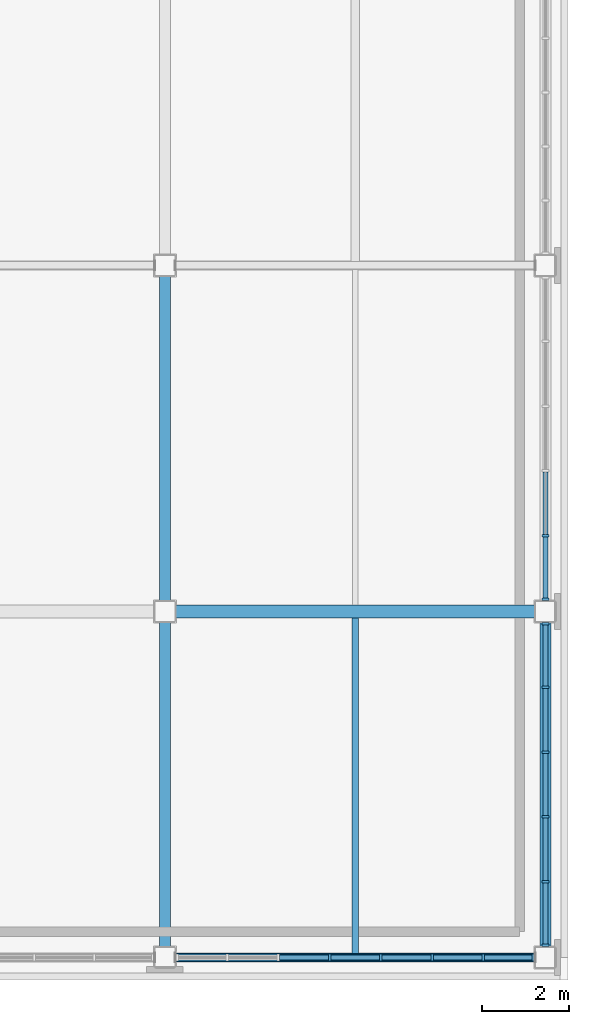
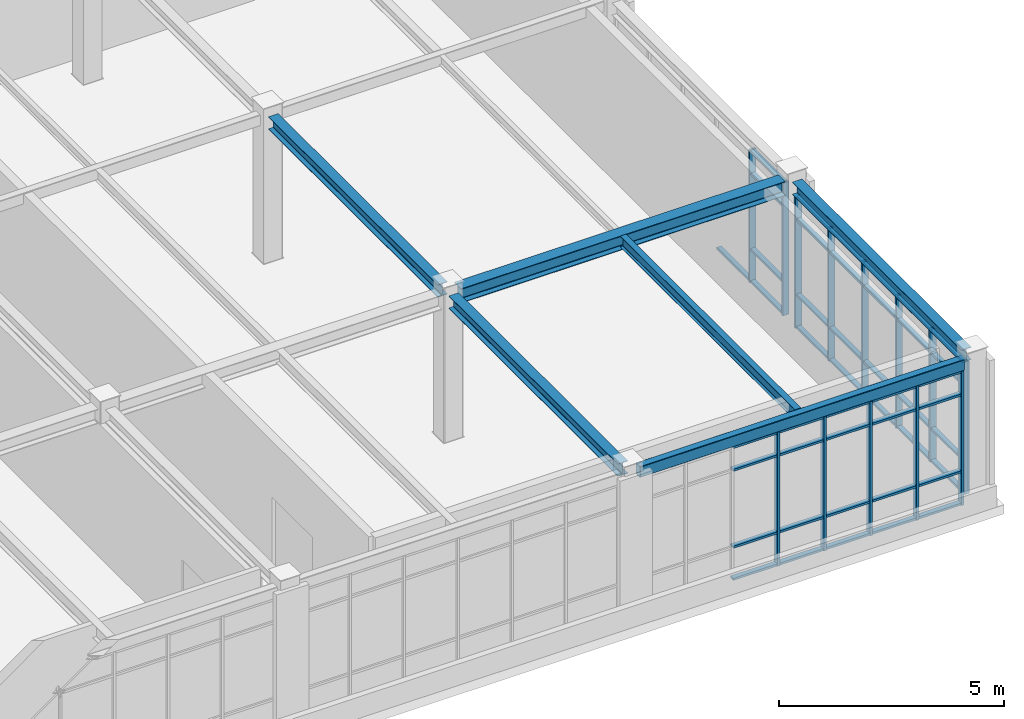
# One storey, part 9 of 45: 58 members, 6 beams, 3 elements without a shape of their own.
"""IFC4 building model written with IfcOpenShell, lengths in metres."""

from ifc_helpers import new_model, si_unit, direction, frame, origin, origin_2d, place, context, subcontext, project, spatial, rectangle, hollow_rectangle, i_section, extrude, material, material_profile, profile_set, type_object, element, aggregate, save


model = new_model("IFC4")

# Units and contexts
model_context = context("Model", 3, precision=1e-05, world=origin(), true_north=direction((0.0, 1.0)))
body_context = subcontext(model_context, "Body", "Model", "MODEL_VIEW")
ifc_project = project(units=[si_unit("LENGTHUNIT", "METRE"), si_unit("AREAUNIT", "SQUARE_METRE"), si_unit("VOLUMEUNIT", "CUBIC_METRE"), si_unit("PLANEANGLEUNIT", "RADIAN"), si_unit("MASSUNIT", "GRAM", prefix="KILO")], contexts=[model_context])

# Site, building, storey
site_placement = place(None, origin())
site = spatial("IfcSite", under=ifc_project, at=site_placement, CompositionType="ELEMENT")
building_placement = place(site_placement, origin())
building = spatial("IfcBuilding", under=site, at=building_placement, Name="Zhaolan Boulevard Law Courts", CompositionType="ELEMENT")
storey_placement = place(building_placement, frame((0.0, 0.0, 24.60009765625)))
storey = spatial("IfcBuildingStorey", under=building, at=storey_placement, Name="L05", CompositionType="ELEMENT", Elevation=24.60009765625)

# Curtain wall, members
ifc_material_1 = material(Name="Thermally broken aluminium and low-E glazing", Category="aluminium")
curtain_wall_type_1 = type_object("IfcCurtainWallType", Name="CURTAIN WALL M14", PredefinedType="USERDEFINED", material=ifc_material_1)
curtain_wall_1_placement = place(storey_placement, origin())
curtain_wall_1 = element("IfcCurtainWall", 1, at=curtain_wall_1_placement, inside=storey, type_object=curtain_wall_type_1, Name="Curtain Wall CW-L05-206", ObjectType="CURTAIN WALL", PredefinedType="USERDEFINED")
ifc_material_2 = material(Name="Fluorocarbon-coated aluminium 6063-T6", Category="aluminium")
ifc_material_profile_1 = material_profile(ifc_material_2, rectangle(XDim=0.159912109375, YDim=0.06005859375, at=origin_2d()), Name="AL60x160")
ifc_profile_set_1 = profile_set([ifc_material_profile_1], Name="Fluorocarbon-coated aluminium 6063-T6")
member_type_1 = type_object("IfcMemberType", Name="CWMULLION 60X160", PredefinedType="MULLION", material=ifc_profile_set_1)
member_1_placement = place(storey_placement, frame((39.00732421875, 30.0, 0.0), z_axis=(0.0, 0.0, 1.0), x_axis=(0.0, 1.0, 0.0)))
member_1 = element("IfcMember", 2, at=member_1_placement, type_object=member_type_1, Name="CW-L05-206 mullion 4", PredefinedType="MULLION", context=body_context, shape_type="SweptSolid", body=[
    extrude(rectangle(XDim=0.159912109375, YDim=0.06005859375, at=origin_2d()), origin(), (0.0, 0.0, 1.0), 3.6328125),
])
member_2_placement = place(storey_placement, frame((40.192626953125, 30.0, 0.0), z_axis=(0.0, 0.0, 1.0), x_axis=(0.0, 1.0, 0.0)))
member_2 = element("IfcMember", 3, at=member_2_placement, type_object=member_type_1, Name="CW-L05-206 mullion 5", PredefinedType="MULLION", context=body_context, shape_type="SweptSolid", body=[
    extrude(rectangle(XDim=0.159912109375, YDim=0.06005859375, at=origin_2d()), origin(), (0.0, 0.0, 1.0), 3.6328125),
])
member_3_placement = place(storey_placement, frame((41.377685546875, 30.0, 0.0), z_axis=(0.0, 0.0, 1.0), x_axis=(0.0, 1.0, 0.0)))
member_3 = element("IfcMember", 4, at=member_3_placement, type_object=member_type_1, Name="CW-L05-206 mullion 6", PredefinedType="MULLION", context=body_context, shape_type="SweptSolid", body=[
    extrude(rectangle(XDim=0.159912109375, YDim=0.06005859375, at=origin_2d()), origin(), (0.0, 0.0, 1.0), 3.6328125),
])
member_4_placement = place(storey_placement, frame((42.562744140625, 30.0, 0.0), z_axis=(0.0, 0.0, 1.0), x_axis=(0.0, 1.0, 0.0)))
member_4 = element("IfcMember", 5, at=member_4_placement, type_object=member_type_1, Name="CW-L05-206 mullion 7", PredefinedType="MULLION", context=body_context, shape_type="SweptSolid", body=[
    extrude(rectangle(XDim=0.159912109375, YDim=0.06005859375, at=origin_2d()), origin(), (0.0, 0.0, 1.0), 3.6328125),
])
member_5_placement = place(storey_placement, frame((43.718017578125, 30.0, 0.0), z_axis=(0.0, 0.0, 1.0), x_axis=(0.0, 1.0, 0.0)))
member_5 = element("IfcMember", 6, at=member_5_placement, type_object=member_type_1, Name="CW-L05-206 mullion 8", PredefinedType="MULLION", context=body_context, shape_type="SweptSolid", body=[
    extrude(rectangle(XDim=0.159912109375, YDim=0.06005859375, at=origin_2d()), origin(), (0.0, 0.0, 1.0), 3.6328125),
])

ifc_material_3 = material(Name="Thermally broken aluminium and low-E glazing", Category="aluminium")
curtain_wall_type_2 = type_object("IfcCurtainWallType", Name="CURTAIN WALL M2", PredefinedType="USERDEFINED", material=ifc_material_3)
curtain_wall_2_placement = place(storey_placement, origin())
curtain_wall_2 = element("IfcCurtainWall", 7, at=curtain_wall_2_placement, inside=storey, type_object=curtain_wall_type_2, Name="Curtain Wall CW-L05-218", ObjectType="CURTAIN WALL", PredefinedType="USERDEFINED")
member_6_placement = place(storey_placement, frame((44.0, 30.281982421875, 0.0), z_axis=(0.0, 0.0, 1.0), x_axis=(-1.0, 0.0, 0.0)))
member_6 = element("IfcMember", 8, at=member_6_placement, type_object=member_type_1, Name="CW-L05-218 mullion 1", PredefinedType="MULLION", context=body_context, shape_type="SweptSolid", body=[
    extrude(rectangle(XDim=0.159912109375, YDim=0.06005859375, at=origin_2d()), origin(), (0.0, 0.0, 1.0), 3.593017578125),
])
member_7_placement = place(storey_placement, frame((44.0, 31.751220703125, 0.0), z_axis=(0.0, 0.0, 1.0), x_axis=(-1.0, 0.0, 0.0)))
member_7 = element("IfcMember", 9, at=member_7_placement, type_object=member_type_1, Name="CW-L05-218 mullion 2", PredefinedType="MULLION", context=body_context, shape_type="SweptSolid", body=[
    extrude(rectangle(XDim=0.159912109375, YDim=0.06005859375, at=origin_2d()), origin(), (0.0, 0.0, 1.0), 3.593017578125),
])
member_8_placement = place(storey_placement, frame((44.0, 33.25048828125, 0.0), z_axis=(0.0, 0.0, 1.0), x_axis=(-1.0, 0.0, 0.0)))
member_8 = element("IfcMember", 10, at=member_8_placement, type_object=member_type_1, Name="CW-L05-218 mullion 3", PredefinedType="MULLION", context=body_context, shape_type="SweptSolid", body=[
    extrude(rectangle(XDim=0.159912109375, YDim=0.06005859375, at=origin_2d()), origin(), (0.0, 0.0, 1.0), 3.593017578125),
])
member_9_placement = place(storey_placement, frame((44.0, 34.74951171875, 0.0), z_axis=(0.0, 0.0, 1.0), x_axis=(-1.0, 0.0, 0.0)))
member_9 = element("IfcMember", 11, at=member_9_placement, type_object=member_type_1, Name="CW-L05-218 mullion 4", PredefinedType="MULLION", context=body_context, shape_type="SweptSolid", body=[
    extrude(rectangle(XDim=0.159912109375, YDim=0.06005859375, at=origin_2d()), origin(), (0.0, 0.0, 1.0), 3.593017578125),
])
member_10_placement = place(storey_placement, frame((44.0, 36.248779296875, 0.0), z_axis=(0.0, 0.0, 1.0), x_axis=(-1.0, 0.0, 0.0)))
member_10 = element("IfcMember", 12, at=member_10_placement, type_object=member_type_1, Name="CW-L05-218 mullion 5", PredefinedType="MULLION", context=body_context, shape_type="SweptSolid", body=[
    extrude(rectangle(XDim=0.159912109375, YDim=0.06005859375, at=origin_2d()), origin(), (0.0, 0.0, 1.0), 3.593017578125),
])
member_11_placement = place(storey_placement, frame((44.0, 37.718017578125, 0.0), z_axis=(0.0, 0.0, 1.0), x_axis=(-1.0, 0.0, 0.0)))
member_11 = element("IfcMember", 13, at=member_11_placement, type_object=member_type_1, Name="CW-L05-218 mullion 6", PredefinedType="MULLION", context=body_context, shape_type="SweptSolid", body=[
    extrude(rectangle(XDim=0.159912109375, YDim=0.06005859375, at=origin_2d()), origin(), (0.0, 0.0, 1.0), 3.593017578125),
])

ifc_material_4 = material(Name="Thermally broken aluminium and low-E glazing", Category="aluminium")
curtain_wall_type_3 = type_object("IfcCurtainWallType", Name="CURTAIN WALL M3", PredefinedType="USERDEFINED", material=ifc_material_4)
curtain_wall_3_placement = place(storey_placement, origin())
curtain_wall_3 = element("IfcCurtainWall", 14, at=curtain_wall_3_placement, inside=storey, type_object=curtain_wall_type_3, Name="Curtain Wall CW-L05-219", ObjectType="CURTAIN WALL", PredefinedType="USERDEFINED")
member_12_placement = place(storey_placement, frame((44.0, 38.281982421875, 0.0), z_axis=(0.0, 0.0, 1.0), x_axis=(-1.0, 0.0, 0.0)))
member_12 = element("IfcMember", 15, at=member_12_placement, type_object=member_type_1, Name="CW-L05-219 mullion 1", PredefinedType="MULLION", context=body_context, shape_type="SweptSolid", body=[
    extrude(rectangle(XDim=0.159912109375, YDim=0.06005859375, at=origin_2d()), origin(), (0.0, 0.0, 1.0), 3.593017578125),
])
member_13_placement = place(storey_placement, frame((44.0, 39.751220703125, 0.0), z_axis=(0.0, 0.0, 1.0), x_axis=(-1.0, 0.0, 0.0)))
member_13 = element("IfcMember", 16, at=member_13_placement, type_object=member_type_1, Name="CW-L05-219 mullion 2", PredefinedType="MULLION", context=body_context, shape_type="SweptSolid", body=[
    extrude(rectangle(XDim=0.159912109375, YDim=0.06005859375, at=origin_2d()), origin(), (0.0, 0.0, 1.0), 3.593017578125),
])

# Member
ifc_material_5 = material(Name="Fluorocarbon-coated aluminium 6063-T6", Category="aluminium")
ifc_material_profile_2 = material_profile(ifc_material_5, rectangle(XDim=0.1201171875, YDim=0.06005859375, at=origin_2d()), Name="AL60x120")
ifc_profile_set_2 = profile_set([ifc_material_profile_2], Name="Fluorocarbon-coated aluminium 6063-T6")
member_type_2 = type_object("IfcMemberType", Name="CWTRANSOM 60X120", PredefinedType="USERDEFINED", material=ifc_profile_set_2)
member_14_placement = place(storey_placement, frame((37.852294921875, 30.0, 0.02978515625), z_axis=(1.0, 0.0, 0.0), x_axis=(0.0, 1.0, 0.0)))
member_14 = element("IfcMember", 17, at=member_14_placement, type_object=member_type_2, Name="CW-L05-206 transom 3.1", ObjectType="TRANSOM", PredefinedType="USERDEFINED", context=body_context, shape_type="SweptSolid", body=[
    extrude(rectangle(XDim=0.1201171875, YDim=0.06005859375, at=origin_2d()), origin(), (0.0, 0.0, 1.0), 1.125244140625),
])

member_15_placement = place(storey_placement, frame((37.852294921875, 30.0, 0.89990234375), z_axis=(1.0, 0.0, 0.0), x_axis=(0.0, 1.0, 0.0)))
member_15 = element("IfcMember", 18, at=member_15_placement, type_object=member_type_2, Name="CW-L05-206 transom 3.2", ObjectType="TRANSOM", PredefinedType="USERDEFINED", context=body_context, shape_type="SweptSolid", body=[
    extrude(rectangle(XDim=0.1201171875, YDim=0.06005859375, at=origin_2d()), origin(), (0.0, 0.0, 1.0), 1.125244140625),
])

member_16_placement = place(storey_placement, frame((37.852294921875, 30.0, 2.98291015625), z_axis=(1.0, 0.0, 0.0), x_axis=(0.0, 1.0, 0.0)))
member_16 = element("IfcMember", 19, at=member_16_placement, type_object=member_type_2, Name="CW-L05-206 transom 3.3", ObjectType="TRANSOM", PredefinedType="USERDEFINED", context=body_context, shape_type="SweptSolid", body=[
    extrude(rectangle(XDim=0.1201171875, YDim=0.06005859375, at=origin_2d()), origin(), (0.0, 0.0, 1.0), 1.125244140625),
])

member_17_placement = place(storey_placement, frame((37.852294921875, 30.0, 3.602783203125), z_axis=(1.0, 0.0, 0.0), x_axis=(0.0, 1.0, 0.0)))
member_17 = element("IfcMember", 20, at=member_17_placement, type_object=member_type_2, Name="CW-L05-206 transom 3.4", ObjectType="TRANSOM", PredefinedType="USERDEFINED", context=body_context, shape_type="SweptSolid", body=[
    extrude(rectangle(XDim=0.1201171875, YDim=0.06005859375, at=origin_2d()), origin(), (0.0, 0.0, 1.0), 1.125244140625),
])

member_18_placement = place(storey_placement, frame((39.037353515625, 30.0, 0.02978515625), z_axis=(1.0, 0.0, 0.0), x_axis=(0.0, 1.0, 0.0)))
member_18 = element("IfcMember", 21, at=member_18_placement, type_object=member_type_2, Name="CW-L05-206 transom 4.1", ObjectType="TRANSOM", PredefinedType="USERDEFINED", context=body_context, shape_type="SweptSolid", body=[
    extrude(rectangle(XDim=0.1201171875, YDim=0.06005859375, at=origin_2d()), origin(), (0.0, 0.0, 1.0), 1.125244140625),
])

member_19_placement = place(storey_placement, frame((39.037353515625, 30.0, 0.89990234375), z_axis=(1.0, 0.0, 0.0), x_axis=(0.0, 1.0, 0.0)))
member_19 = element("IfcMember", 22, at=member_19_placement, type_object=member_type_2, Name="CW-L05-206 transom 4.2", ObjectType="TRANSOM", PredefinedType="USERDEFINED", context=body_context, shape_type="SweptSolid", body=[
    extrude(rectangle(XDim=0.1201171875, YDim=0.06005859375, at=origin_2d()), origin(), (0.0, 0.0, 1.0), 1.125244140625),
])

member_20_placement = place(storey_placement, frame((39.037353515625, 30.0, 2.98291015625), z_axis=(1.0, 0.0, 0.0), x_axis=(0.0, 1.0, 0.0)))
member_20 = element("IfcMember", 23, at=member_20_placement, type_object=member_type_2, Name="CW-L05-206 transom 4.3", ObjectType="TRANSOM", PredefinedType="USERDEFINED", context=body_context, shape_type="SweptSolid", body=[
    extrude(rectangle(XDim=0.1201171875, YDim=0.06005859375, at=origin_2d()), origin(), (0.0, 0.0, 1.0), 1.125244140625),
])

member_21_placement = place(storey_placement, frame((39.037353515625, 30.0, 3.602783203125), z_axis=(1.0, 0.0, 0.0), x_axis=(0.0, 1.0, 0.0)))
member_21 = element("IfcMember", 24, at=member_21_placement, type_object=member_type_2, Name="CW-L05-206 transom 4.4", ObjectType="TRANSOM", PredefinedType="USERDEFINED", context=body_context, shape_type="SweptSolid", body=[
    extrude(rectangle(XDim=0.1201171875, YDim=0.06005859375, at=origin_2d()), origin(), (0.0, 0.0, 1.0), 1.125244140625),
])

member_22_placement = place(storey_placement, frame((40.22265625, 30.0, 0.02978515625), z_axis=(1.0, 0.0, 0.0), x_axis=(0.0, 1.0, 0.0)))
member_22 = element("IfcMember", 25, at=member_22_placement, type_object=member_type_2, Name="CW-L05-206 transom 5.1", ObjectType="TRANSOM", PredefinedType="USERDEFINED", context=body_context, shape_type="SweptSolid", body=[
    extrude(rectangle(XDim=0.1201171875, YDim=0.06005859375, at=origin_2d()), origin(), (0.0, 0.0, 1.0), 1.125),
])

member_23_placement = place(storey_placement, frame((40.22265625, 30.0, 0.89990234375), z_axis=(1.0, 0.0, 0.0), x_axis=(0.0, 1.0, 0.0)))
member_23 = element("IfcMember", 26, at=member_23_placement, type_object=member_type_2, Name="CW-L05-206 transom 5.2", ObjectType="TRANSOM", PredefinedType="USERDEFINED", context=body_context, shape_type="SweptSolid", body=[
    extrude(rectangle(XDim=0.1201171875, YDim=0.06005859375, at=origin_2d()), origin(), (0.0, 0.0, 1.0), 1.125),
])

member_24_placement = place(storey_placement, frame((40.22265625, 30.0, 2.98291015625), z_axis=(1.0, 0.0, 0.0), x_axis=(0.0, 1.0, 0.0)))
member_24 = element("IfcMember", 27, at=member_24_placement, type_object=member_type_2, Name="CW-L05-206 transom 5.3", ObjectType="TRANSOM", PredefinedType="USERDEFINED", context=body_context, shape_type="SweptSolid", body=[
    extrude(rectangle(XDim=0.1201171875, YDim=0.06005859375, at=origin_2d()), origin(), (0.0, 0.0, 1.0), 1.125),
])

member_25_placement = place(storey_placement, frame((40.22265625, 30.0, 3.602783203125), z_axis=(1.0, 0.0, 0.0), x_axis=(0.0, 1.0, 0.0)))
member_25 = element("IfcMember", 28, at=member_25_placement, type_object=member_type_2, Name="CW-L05-206 transom 5.4", ObjectType="TRANSOM", PredefinedType="USERDEFINED", context=body_context, shape_type="SweptSolid", body=[
    extrude(rectangle(XDim=0.1201171875, YDim=0.06005859375, at=origin_2d()), origin(), (0.0, 0.0, 1.0), 1.125),
])

member_26_placement = place(storey_placement, frame((41.40771484375, 30.0, 0.02978515625), z_axis=(1.0, 0.0, 0.0), x_axis=(0.0, 1.0, 0.0)))
member_26 = element("IfcMember", 29, at=member_26_placement, type_object=member_type_2, Name="CW-L05-206 transom 6.1", ObjectType="TRANSOM", PredefinedType="USERDEFINED", context=body_context, shape_type="SweptSolid", body=[
    extrude(rectangle(XDim=0.1201171875, YDim=0.06005859375, at=origin_2d()), origin(), (0.0, 0.0, 1.0), 1.125244140625),
])

member_27_placement = place(storey_placement, frame((41.40771484375, 30.0, 0.89990234375), z_axis=(1.0, 0.0, 0.0), x_axis=(0.0, 1.0, 0.0)))
member_27 = element("IfcMember", 30, at=member_27_placement, type_object=member_type_2, Name="CW-L05-206 transom 6.2", ObjectType="TRANSOM", PredefinedType="USERDEFINED", context=body_context, shape_type="SweptSolid", body=[
    extrude(rectangle(XDim=0.1201171875, YDim=0.06005859375, at=origin_2d()), origin(), (0.0, 0.0, 1.0), 1.125244140625),
])

member_28_placement = place(storey_placement, frame((41.40771484375, 30.0, 2.98291015625), z_axis=(1.0, 0.0, 0.0), x_axis=(0.0, 1.0, 0.0)))
member_28 = element("IfcMember", 31, at=member_28_placement, type_object=member_type_2, Name="CW-L05-206 transom 6.3", ObjectType="TRANSOM", PredefinedType="USERDEFINED", context=body_context, shape_type="SweptSolid", body=[
    extrude(rectangle(XDim=0.1201171875, YDim=0.06005859375, at=origin_2d()), origin(), (0.0, 0.0, 1.0), 1.125244140625),
])

member_29_placement = place(storey_placement, frame((41.40771484375, 30.0, 3.602783203125), z_axis=(1.0, 0.0, 0.0), x_axis=(0.0, 1.0, 0.0)))
member_29 = element("IfcMember", 32, at=member_29_placement, type_object=member_type_2, Name="CW-L05-206 transom 6.4", ObjectType="TRANSOM", PredefinedType="USERDEFINED", context=body_context, shape_type="SweptSolid", body=[
    extrude(rectangle(XDim=0.1201171875, YDim=0.06005859375, at=origin_2d()), origin(), (0.0, 0.0, 1.0), 1.125244140625),
])

member_30_placement = place(storey_placement, frame((42.5927734375, 30.0, 0.02978515625), z_axis=(1.0, 0.0, 0.0), x_axis=(0.0, 1.0, 0.0)))
member_30 = element("IfcMember", 33, at=member_30_placement, type_object=member_type_2, Name="CW-L05-206 transom 7.1", ObjectType="TRANSOM", PredefinedType="USERDEFINED", context=body_context, shape_type="SweptSolid", body=[
    extrude(rectangle(XDim=0.1201171875, YDim=0.06005859375, at=origin_2d()), origin(), (0.0, 0.0, 1.0), 1.09521484375),
])

member_31_placement = place(storey_placement, frame((42.5927734375, 30.0, 0.89990234375), z_axis=(1.0, 0.0, 0.0), x_axis=(0.0, 1.0, 0.0)))
member_31 = element("IfcMember", 34, at=member_31_placement, type_object=member_type_2, Name="CW-L05-206 transom 7.2", ObjectType="TRANSOM", PredefinedType="USERDEFINED", context=body_context, shape_type="SweptSolid", body=[
    extrude(rectangle(XDim=0.1201171875, YDim=0.06005859375, at=origin_2d()), origin(), (0.0, 0.0, 1.0), 1.09521484375),
])

member_32_placement = place(storey_placement, frame((42.5927734375, 30.0, 2.98291015625), z_axis=(1.0, 0.0, 0.0), x_axis=(0.0, 1.0, 0.0)))
member_32 = element("IfcMember", 35, at=member_32_placement, type_object=member_type_2, Name="CW-L05-206 transom 7.3", ObjectType="TRANSOM", PredefinedType="USERDEFINED", context=body_context, shape_type="SweptSolid", body=[
    extrude(rectangle(XDim=0.1201171875, YDim=0.06005859375, at=origin_2d()), origin(), (0.0, 0.0, 1.0), 1.09521484375),
])

member_33_placement = place(storey_placement, frame((42.5927734375, 30.0, 3.602783203125), z_axis=(1.0, 0.0, 0.0), x_axis=(0.0, 1.0, 0.0)))
member_33 = element("IfcMember", 36, at=member_33_placement, type_object=member_type_2, Name="CW-L05-206 transom 7.4", ObjectType="TRANSOM", PredefinedType="USERDEFINED", context=body_context, shape_type="SweptSolid", body=[
    extrude(rectangle(XDim=0.1201171875, YDim=0.06005859375, at=origin_2d()), origin(), (0.0, 0.0, 1.0), 1.09521484375),
])

aggregate(curtain_wall_1, [member_1, member_2, member_3, member_4, member_5, member_14, member_15, member_16, member_17, member_18, member_19, member_20, member_21, member_22, member_23, member_24, member_25, member_26, member_27, member_28, member_29, member_30, member_31, member_32, member_33])

member_34_placement = place(storey_placement, frame((44.0, 30.31201171875, 0.02978515625), z_axis=(0.0, 1.0, 0.0), x_axis=(-1.0, 0.0, 0.0)))
member_34 = element("IfcMember", 37, at=member_34_placement, type_object=member_type_2, Name="CW-L05-218 transom 1.1", ObjectType="TRANSOM", PredefinedType="USERDEFINED", context=body_context, shape_type="SweptSolid", body=[
    extrude(rectangle(XDim=0.1201171875, YDim=0.06005859375, at=origin_2d()), origin(), (0.0, 0.0, 1.0), 1.4091796875),
])

member_35_placement = place(storey_placement, frame((44.0, 30.31201171875, 0.89990234375), z_axis=(0.0, 1.0, 0.0), x_axis=(-1.0, 0.0, 0.0)))
member_35 = element("IfcMember", 38, at=member_35_placement, type_object=member_type_2, Name="CW-L05-218 transom 1.2", ObjectType="TRANSOM", PredefinedType="USERDEFINED", context=body_context, shape_type="SweptSolid", body=[
    extrude(rectangle(XDim=0.1201171875, YDim=0.06005859375, at=origin_2d()), origin(), (0.0, 0.0, 1.0), 1.4091796875),
])

member_36_placement = place(storey_placement, frame((44.0, 30.31201171875, 2.94287109375), z_axis=(0.0, 1.0, 0.0), x_axis=(-1.0, 0.0, 0.0)))
member_36 = element("IfcMember", 39, at=member_36_placement, type_object=member_type_2, Name="CW-L05-218 transom 1.3", ObjectType="TRANSOM", PredefinedType="USERDEFINED", context=body_context, shape_type="SweptSolid", body=[
    extrude(rectangle(XDim=0.1201171875, YDim=0.06005859375, at=origin_2d()), origin(), (0.0, 0.0, 1.0), 1.4091796875),
])

member_37_placement = place(storey_placement, frame((44.0, 30.31201171875, 3.56298828125), z_axis=(0.0, 1.0, 0.0), x_axis=(-1.0, 0.0, 0.0)))
member_37 = element("IfcMember", 40, at=member_37_placement, type_object=member_type_2, Name="CW-L05-218 transom 1.4", ObjectType="TRANSOM", PredefinedType="USERDEFINED", context=body_context, shape_type="SweptSolid", body=[
    extrude(rectangle(XDim=0.1201171875, YDim=0.06005859375, at=origin_2d()), origin(), (0.0, 0.0, 1.0), 1.4091796875),
])

member_38_placement = place(storey_placement, frame((44.0, 31.78125, 0.02978515625), z_axis=(0.0, 1.0, 0.0), x_axis=(-1.0, 0.0, 0.0)))
member_38 = element("IfcMember", 41, at=member_38_placement, type_object=member_type_2, Name="CW-L05-218 transom 2.1", ObjectType="TRANSOM", PredefinedType="USERDEFINED", context=body_context, shape_type="SweptSolid", body=[
    extrude(rectangle(XDim=0.1201171875, YDim=0.06005859375, at=origin_2d()), origin(), (0.0, 0.0, 1.0), 1.439208984375),
])

member_39_placement = place(storey_placement, frame((44.0, 31.78125, 0.89990234375), z_axis=(0.0, 1.0, 0.0), x_axis=(-1.0, 0.0, 0.0)))
member_39 = element("IfcMember", 42, at=member_39_placement, type_object=member_type_2, Name="CW-L05-218 transom 2.2", ObjectType="TRANSOM", PredefinedType="USERDEFINED", context=body_context, shape_type="SweptSolid", body=[
    extrude(rectangle(XDim=0.1201171875, YDim=0.06005859375, at=origin_2d()), origin(), (0.0, 0.0, 1.0), 1.439208984375),
])

member_40_placement = place(storey_placement, frame((44.0, 31.78125, 2.94287109375), z_axis=(0.0, 1.0, 0.0), x_axis=(-1.0, 0.0, 0.0)))
member_40 = element("IfcMember", 43, at=member_40_placement, type_object=member_type_2, Name="CW-L05-218 transom 2.3", ObjectType="TRANSOM", PredefinedType="USERDEFINED", context=body_context, shape_type="SweptSolid", body=[
    extrude(rectangle(XDim=0.1201171875, YDim=0.06005859375, at=origin_2d()), origin(), (0.0, 0.0, 1.0), 1.439208984375),
])

member_41_placement = place(storey_placement, frame((44.0, 31.78125, 3.56298828125), z_axis=(0.0, 1.0, 0.0), x_axis=(-1.0, 0.0, 0.0)))
member_41 = element("IfcMember", 44, at=member_41_placement, type_object=member_type_2, Name="CW-L05-218 transom 2.4", ObjectType="TRANSOM", PredefinedType="USERDEFINED", context=body_context, shape_type="SweptSolid", body=[
    extrude(rectangle(XDim=0.1201171875, YDim=0.06005859375, at=origin_2d()), origin(), (0.0, 0.0, 1.0), 1.439208984375),
])

member_42_placement = place(storey_placement, frame((44.0, 33.280517578125, 0.02978515625), z_axis=(0.0, 1.0, 0.0), x_axis=(-1.0, 0.0, 0.0)))
member_42 = element("IfcMember", 45, at=member_42_placement, type_object=member_type_2, Name="CW-L05-218 transom 3.1", ObjectType="TRANSOM", PredefinedType="USERDEFINED", context=body_context, shape_type="SweptSolid", body=[
    extrude(rectangle(XDim=0.1201171875, YDim=0.06005859375, at=origin_2d()), origin(), (0.0, 0.0, 1.0), 1.43896484375),
])

member_43_placement = place(storey_placement, frame((44.0, 33.280517578125, 0.89990234375), z_axis=(0.0, 1.0, 0.0), x_axis=(-1.0, 0.0, 0.0)))
member_43 = element("IfcMember", 46, at=member_43_placement, type_object=member_type_2, Name="CW-L05-218 transom 3.2", ObjectType="TRANSOM", PredefinedType="USERDEFINED", context=body_context, shape_type="SweptSolid", body=[
    extrude(rectangle(XDim=0.1201171875, YDim=0.06005859375, at=origin_2d()), origin(), (0.0, 0.0, 1.0), 1.43896484375),
])

member_44_placement = place(storey_placement, frame((44.0, 33.280517578125, 2.94287109375), z_axis=(0.0, 1.0, 0.0), x_axis=(-1.0, 0.0, 0.0)))
member_44 = element("IfcMember", 47, at=member_44_placement, type_object=member_type_2, Name="CW-L05-218 transom 3.3", ObjectType="TRANSOM", PredefinedType="USERDEFINED", context=body_context, shape_type="SweptSolid", body=[
    extrude(rectangle(XDim=0.1201171875, YDim=0.06005859375, at=origin_2d()), origin(), (0.0, 0.0, 1.0), 1.43896484375),
])

member_45_placement = place(storey_placement, frame((44.0, 33.280517578125, 3.56298828125), z_axis=(0.0, 1.0, 0.0), x_axis=(-1.0, 0.0, 0.0)))
member_45 = element("IfcMember", 48, at=member_45_placement, type_object=member_type_2, Name="CW-L05-218 transom 3.4", ObjectType="TRANSOM", PredefinedType="USERDEFINED", context=body_context, shape_type="SweptSolid", body=[
    extrude(rectangle(XDim=0.1201171875, YDim=0.06005859375, at=origin_2d()), origin(), (0.0, 0.0, 1.0), 1.43896484375),
])

member_46_placement = place(storey_placement, frame((44.0, 34.779541015625, 0.02978515625), z_axis=(0.0, 1.0, 0.0), x_axis=(-1.0, 0.0, 0.0)))
member_46 = element("IfcMember", 49, at=member_46_placement, type_object=member_type_2, Name="CW-L05-218 transom 4.1", ObjectType="TRANSOM", PredefinedType="USERDEFINED", context=body_context, shape_type="SweptSolid", body=[
    extrude(rectangle(XDim=0.1201171875, YDim=0.06005859375, at=origin_2d()), origin(), (0.0, 0.0, 1.0), 1.439208984375),
])

member_47_placement = place(storey_placement, frame((44.0, 34.779541015625, 0.89990234375), z_axis=(0.0, 1.0, 0.0), x_axis=(-1.0, 0.0, 0.0)))
member_47 = element("IfcMember", 50, at=member_47_placement, type_object=member_type_2, Name="CW-L05-218 transom 4.2", ObjectType="TRANSOM", PredefinedType="USERDEFINED", context=body_context, shape_type="SweptSolid", body=[
    extrude(rectangle(XDim=0.1201171875, YDim=0.06005859375, at=origin_2d()), origin(), (0.0, 0.0, 1.0), 1.439208984375),
])

member_48_placement = place(storey_placement, frame((44.0, 34.779541015625, 2.94287109375), z_axis=(0.0, 1.0, 0.0), x_axis=(-1.0, 0.0, 0.0)))
member_48 = element("IfcMember", 51, at=member_48_placement, type_object=member_type_2, Name="CW-L05-218 transom 4.3", ObjectType="TRANSOM", PredefinedType="USERDEFINED", context=body_context, shape_type="SweptSolid", body=[
    extrude(rectangle(XDim=0.1201171875, YDim=0.06005859375, at=origin_2d()), origin(), (0.0, 0.0, 1.0), 1.439208984375),
])

member_49_placement = place(storey_placement, frame((44.0, 34.779541015625, 3.56298828125), z_axis=(0.0, 1.0, 0.0), x_axis=(-1.0, 0.0, 0.0)))
member_49 = element("IfcMember", 52, at=member_49_placement, type_object=member_type_2, Name="CW-L05-218 transom 4.4", ObjectType="TRANSOM", PredefinedType="USERDEFINED", context=body_context, shape_type="SweptSolid", body=[
    extrude(rectangle(XDim=0.1201171875, YDim=0.06005859375, at=origin_2d()), origin(), (0.0, 0.0, 1.0), 1.439208984375),
])

member_50_placement = place(storey_placement, frame((44.0, 36.27880859375, 0.02978515625), z_axis=(0.0, 1.0, 0.0), x_axis=(-1.0, 0.0, 0.0)))
member_50 = element("IfcMember", 53, at=member_50_placement, type_object=member_type_2, Name="CW-L05-218 transom 5.1", ObjectType="TRANSOM", PredefinedType="USERDEFINED", context=body_context, shape_type="SweptSolid", body=[
    extrude(rectangle(XDim=0.1201171875, YDim=0.06005859375, at=origin_2d()), origin(), (0.0, 0.0, 1.0), 1.4091796875),
])

member_51_placement = place(storey_placement, frame((44.0, 36.27880859375, 0.89990234375), z_axis=(0.0, 1.0, 0.0), x_axis=(-1.0, 0.0, 0.0)))
member_51 = element("IfcMember", 54, at=member_51_placement, type_object=member_type_2, Name="CW-L05-218 transom 5.2", ObjectType="TRANSOM", PredefinedType="USERDEFINED", context=body_context, shape_type="SweptSolid", body=[
    extrude(rectangle(XDim=0.1201171875, YDim=0.06005859375, at=origin_2d()), origin(), (0.0, 0.0, 1.0), 1.4091796875),
])

member_52_placement = place(storey_placement, frame((44.0, 36.27880859375, 2.94287109375), z_axis=(0.0, 1.0, 0.0), x_axis=(-1.0, 0.0, 0.0)))
member_52 = element("IfcMember", 55, at=member_52_placement, type_object=member_type_2, Name="CW-L05-218 transom 5.3", ObjectType="TRANSOM", PredefinedType="USERDEFINED", context=body_context, shape_type="SweptSolid", body=[
    extrude(rectangle(XDim=0.1201171875, YDim=0.06005859375, at=origin_2d()), origin(), (0.0, 0.0, 1.0), 1.4091796875),
])

member_53_placement = place(storey_placement, frame((44.0, 36.27880859375, 3.56298828125), z_axis=(0.0, 1.0, 0.0), x_axis=(-1.0, 0.0, 0.0)))
member_53 = element("IfcMember", 56, at=member_53_placement, type_object=member_type_2, Name="CW-L05-218 transom 5.4", ObjectType="TRANSOM", PredefinedType="USERDEFINED", context=body_context, shape_type="SweptSolid", body=[
    extrude(rectangle(XDim=0.1201171875, YDim=0.06005859375, at=origin_2d()), origin(), (0.0, 0.0, 1.0), 1.4091796875),
])

aggregate(curtain_wall_2, [member_6, member_7, member_8, member_9, member_10, member_11, member_34, member_35, member_36, member_37, member_38, member_39, member_40, member_41, member_42, member_43, member_44, member_45, member_46, member_47, member_48, member_49, member_50, member_51, member_52, member_53])

member_54_placement = place(storey_placement, frame((44.0, 38.31201171875, 0.02978515625), z_axis=(0.0, 1.0, 0.0), x_axis=(-1.0, 0.0, 0.0)))
member_54 = element("IfcMember", 57, at=member_54_placement, type_object=member_type_2, Name="CW-L05-219 transom 1.1", ObjectType="TRANSOM", PredefinedType="USERDEFINED", context=body_context, shape_type="SweptSolid", body=[
    extrude(rectangle(XDim=0.1201171875, YDim=0.06005859375, at=origin_2d()), origin(), (0.0, 0.0, 1.0), 1.4091796875),
])

member_55_placement = place(storey_placement, frame((44.0, 38.31201171875, 0.89990234375), z_axis=(0.0, 1.0, 0.0), x_axis=(-1.0, 0.0, 0.0)))
member_55 = element("IfcMember", 58, at=member_55_placement, type_object=member_type_2, Name="CW-L05-219 transom 1.2", ObjectType="TRANSOM", PredefinedType="USERDEFINED", context=body_context, shape_type="SweptSolid", body=[
    extrude(rectangle(XDim=0.1201171875, YDim=0.06005859375, at=origin_2d()), origin(), (0.0, 0.0, 1.0), 1.4091796875),
])

member_56_placement = place(storey_placement, frame((44.0, 38.31201171875, 2.94287109375), z_axis=(0.0, 1.0, 0.0), x_axis=(-1.0, 0.0, 0.0)))
member_56 = element("IfcMember", 59, at=member_56_placement, type_object=member_type_2, Name="CW-L05-219 transom 1.3", ObjectType="TRANSOM", PredefinedType="USERDEFINED", context=body_context, shape_type="SweptSolid", body=[
    extrude(rectangle(XDim=0.1201171875, YDim=0.06005859375, at=origin_2d()), origin(), (0.0, 0.0, 1.0), 1.4091796875),
])

member_57_placement = place(storey_placement, frame((44.0, 38.31201171875, 3.56298828125), z_axis=(0.0, 1.0, 0.0), x_axis=(-1.0, 0.0, 0.0)))
member_57 = element("IfcMember", 60, at=member_57_placement, type_object=member_type_2, Name="CW-L05-219 transom 1.4", ObjectType="TRANSOM", PredefinedType="USERDEFINED", context=body_context, shape_type="SweptSolid", body=[
    extrude(rectangle(XDim=0.1201171875, YDim=0.06005859375, at=origin_2d()), origin(), (0.0, 0.0, 1.0), 1.4091796875),
])

member_58_placement = place(storey_placement, frame((44.0, 39.78125, 0.02978515625), z_axis=(0.0, 1.0, 0.0), x_axis=(-1.0, 0.0, 0.0)))
member_58 = element("IfcMember", 61, at=member_58_placement, type_object=member_type_2, Name="CW-L05-219 transom 2.1", ObjectType="TRANSOM", PredefinedType="USERDEFINED", context=body_context, shape_type="SweptSolid", body=[
    extrude(rectangle(XDim=0.1201171875, YDim=0.06005859375, at=origin_2d()), origin(), (0.0, 0.0, 1.0), 1.439208984375),
])

aggregate(curtain_wall_3, [member_12, member_13, member_54, member_55, member_56, member_57, member_58])

# Beams
ifc_material_6 = material(Name="Structural steel Q355B", Category="steel")
ifc_material_profile_3 = material_profile(ifc_material_6, i_section(OverallWidth=0.25, OverallDepth=0.340087890625, WebThickness=0.009033203125, FlangeThickness=0.013916015625, FilletRadius=0.01611328125, at=origin_2d()), Name="HM340x250")
ifc_profile_set_3 = profile_set([ifc_material_profile_3], Name="Structural steel Q355B")
beam_type_1 = type_object("IfcBeamType", Name="GIRDER HM340", PredefinedType="BEAM", material=ifc_profile_set_3)
for number, where, z_axis, x_axis, name in (
    (62, (35.199951171875, 30.24609375, 3.77783203125), (0.0, 1.0, 0.0), (-1.0, 0.0, 0.0), "Beam BY-L06-5-E-F"),
    (63, (35.199951171875, 38.24609375, 3.77783203125), (0.0, 1.0, 0.0), (-1.0, 0.0, 0.0), "Beam BY-L06-5-F-G"),
    (64, (44.0, 30.24609375, 3.77783203125), (0.0, 1.0, 0.0), (-1.0, 0.0, 0.0), "Beam BY-L06-6-E-F"),
):
    element("IfcBeam", number, at=place(storey_placement, frame(where, z_axis=z_axis, x_axis=x_axis)), inside=storey, type_object=beam_type_1, Name=name, PredefinedType="BEAM", context=body_context, shape_type="SweptSolid", body=[
        extrude(i_section(OverallWidth=0.25, OverallDepth=0.340087890625, WebThickness=0.009033203125, FlangeThickness=0.013916015625, FilletRadius=0.01611328125, at=origin_2d()), origin(), (0.0, 0.0, 1.0), 7.5078125),
    ])
ifc_material_7 = material(Name="Structural steel Q355B", Category="steel")
ifc_material_profile_4 = material_profile(ifc_material_7, i_section(OverallWidth=0.300048828125, OverallDepth=0.389892578125, WebThickness=0.010009765625, FlangeThickness=0.01611328125, FilletRadius=0.01806640625, at=origin_2d()), Name="HM390x300")
ifc_profile_set_4 = profile_set([ifc_material_profile_4], Name="Structural steel Q355B")
beam_type_2 = type_object("IfcBeamType", Name="GIRDER HM390", PredefinedType="BEAM", material=ifc_profile_set_4)
beam_1_placement = place(storey_placement, frame((35.446044921875, 38.0, 3.7529296875), z_axis=(1.0, 0.0, 0.0), x_axis=(0.0, 1.0, 0.0)))
element("IfcBeam", 65, at=beam_1_placement, inside=storey, type_object=beam_type_2, Name="Beam BX-L06-5-6-F", PredefinedType="BEAM", context=body_context, shape_type="SweptSolid", body=[
    extrude(i_section(OverallWidth=0.300048828125, OverallDepth=0.389892578125, WebThickness=0.010009765625, FlangeThickness=0.01611328125, FilletRadius=0.01806640625, at=origin_2d()), origin(), (0.0, 0.0, 1.0), 8.307861328125),
])
ifc_material_8 = material(Name="Structural steel Q355B", Category="steel")
ifc_material_profile_5 = material_profile(ifc_material_8, i_section(OverallWidth=0.14990234375, OverallDepth=0.300048828125, WebThickness=0.006591796875, FlangeThickness=0.009033203125, FilletRadius=0.010986328125, at=origin_2d()), Name="HN300x150")
ifc_profile_set_5 = profile_set([ifc_material_profile_5], Name="Structural steel Q355B")
beam_type_3 = type_object("IfcBeamType", Name="JOIST HN300", PredefinedType="JOIST", material=ifc_profile_set_5)
beam_2_placement = place(storey_placement, frame((39.60009765625, 30.095947265625, 3.7978515625), z_axis=(0.0, 1.0, 0.0), x_axis=(-1.0, 0.0, 0.0)))
element("IfcBeam", 66, at=beam_2_placement, inside=storey, type_object=beam_type_3, Name="Composite Joist J-L06-5E", PredefinedType="JOIST", context=body_context, shape_type="SweptSolid", body=[
    extrude(i_section(OverallWidth=0.14990234375, OverallDepth=0.300048828125, WebThickness=0.006591796875, FlangeThickness=0.009033203125, FilletRadius=0.010986328125, at=origin_2d()), origin(), (0.0, 0.0, 1.0), 7.758056640625),
])
ifc_material_9 = material(Name="Structural steel Q355B", Category="steel")
ifc_material_profile_6 = material_profile(ifc_material_9, hollow_rectangle(XDim=0.199951171875, YDim=0.300048828125, WallThickness=0.011962890625, InnerFilletRadius=0.011962890625, OuterFilletRadius=0.02392578125, at=origin_2d()), Name="HSS300x200x12")
ifc_profile_set_6 = profile_set([ifc_material_profile_6], Name="Structural steel Q355B")
beam_type_4 = type_object("IfcBeamType", Name="SPANDREL HSS300", PredefinedType="SPANDREL", material=ifc_profile_set_6)
beam_3_placement = place(storey_placement, frame((35.446044921875, 30.0, 3.7978515625), z_axis=(1.0, 0.0, 0.0), x_axis=(0.0, 1.0, 0.0)))
element("IfcBeam", 67, at=beam_3_placement, inside=storey, type_object=beam_type_4, Name="Beam BX-L06-5-6-E", PredefinedType="SPANDREL", context=body_context, shape_type="SweptSolid", body=[
    extrude(hollow_rectangle(XDim=0.199951171875, YDim=0.300048828125, WallThickness=0.011962890625, InnerFilletRadius=0.011962890625, OuterFilletRadius=0.02392578125, at=origin_2d()), origin(), (0.0, 0.0, 1.0), 8.307861328125),
])

save(model, "model.ifc")
